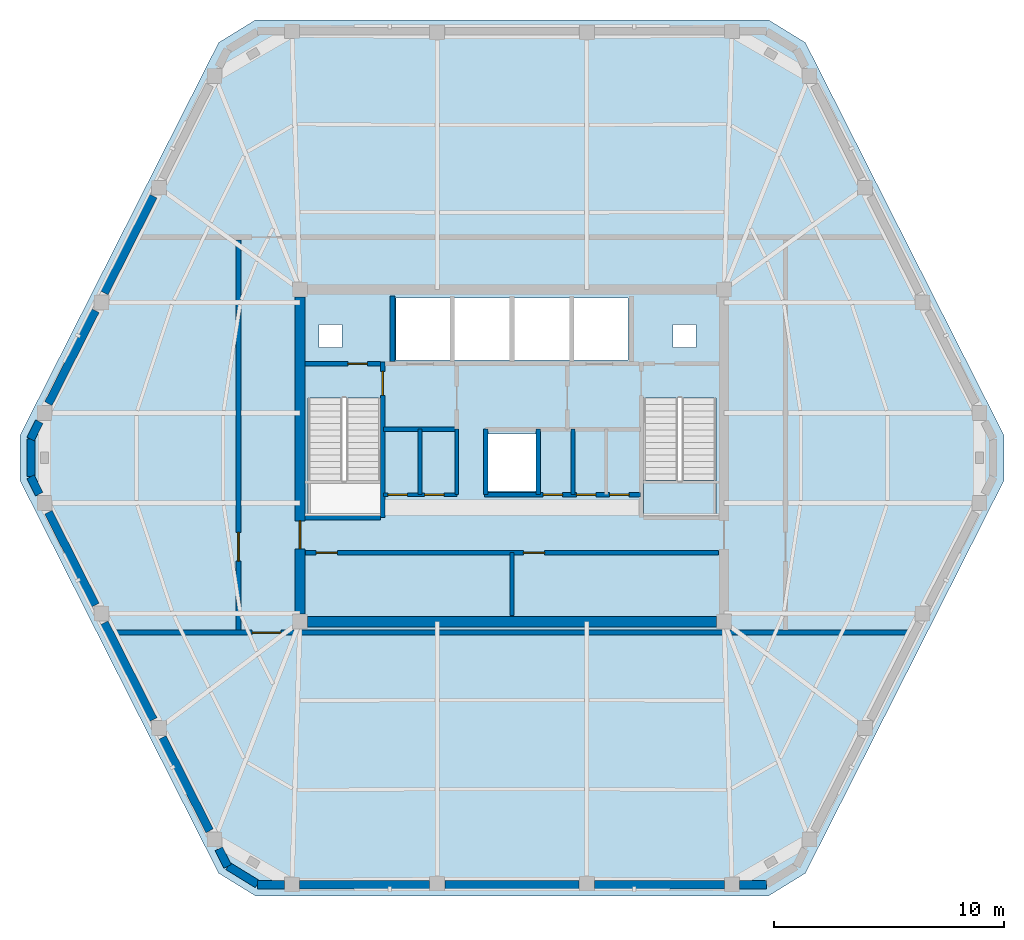
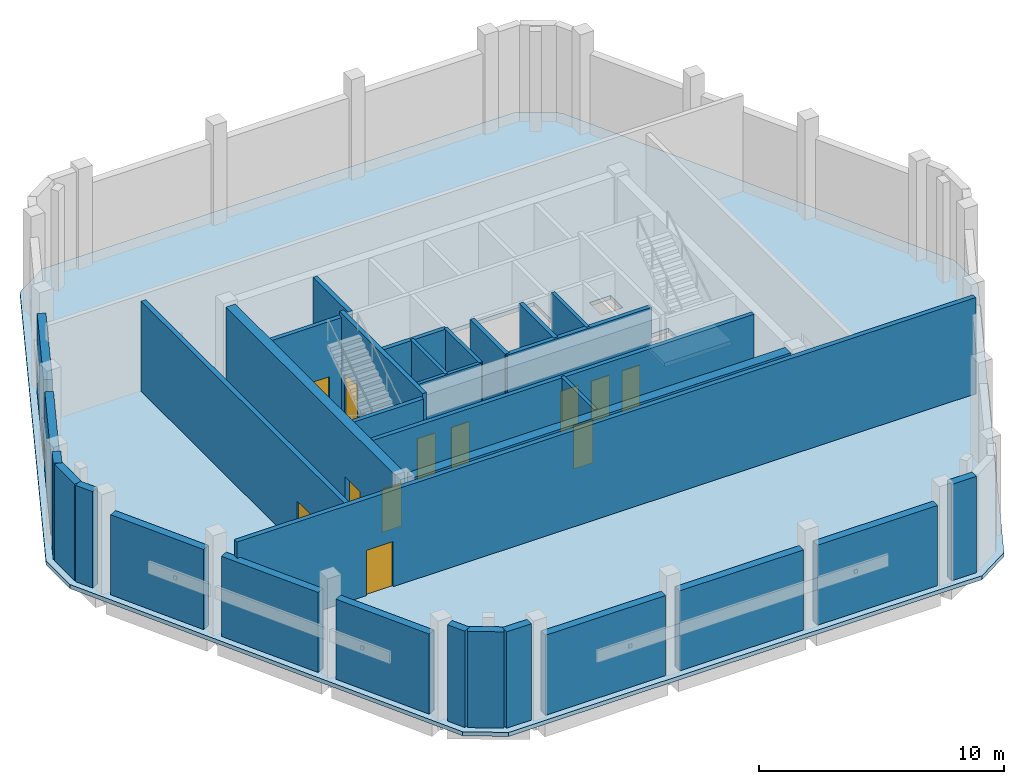
# One storey, part 3 of 8: 33 walls, 12 doors, 2 slabs, 12 openings, 1 element without a shape of its own.
"""IFC4 building model written with IfcOpenShell, lengths in metres."""

from ifc_helpers import new_model, si_unit, direction, frame, frame_2d, origin, place, context, subcontext, project, spatial, polyline, rectangle, outline, extrude, material, layer, layer_set, type_object, element, fill, aggregate, save


model = new_model("IFC4")

# Units and contexts
model_context = context("Model", 3, precision=1e-05, world=origin(), true_north=direction((0.0, 1.0)))
body_context = subcontext(model_context, "Body", "Model", "MODEL_VIEW")
ifc_project = project(units=[si_unit("LENGTHUNIT", "METRE"), si_unit("AREAUNIT", "SQUARE_METRE"), si_unit("VOLUMEUNIT", "CUBIC_METRE"), si_unit("PLANEANGLEUNIT", "RADIAN"), si_unit("MASSUNIT", "GRAM", prefix="KILO")], contexts=[model_context])

# Site, building, storey
site_placement = place(None, origin())
site = spatial("IfcSite", under=ifc_project, at=site_placement, CompositionType="ELEMENT")
building_placement = place(site_placement, origin())
building = spatial("IfcBuilding", under=site, at=building_placement, Name="Cinnabar Lancet Tower", CompositionType="ELEMENT")
storey_placement = place(building_placement, frame((0.0, 0.0, 295.5)))
storey = spatial("IfcBuildingStorey", under=building, at=storey_placement, Name="L78", CompositionType="ELEMENT", Elevation=295.5)

# Stair, slab
ifc_material_1 = material(Name="Concrete C40/50", Category="concrete")
stair_type = type_object("IfcStairType", Name="ST-CORE", PredefinedType="HALF_TURN_STAIR", material=ifc_material_1)
stair_placement = place(storey_placement, origin())
stair = element("IfcStair", 1, at=stair_placement, inside=storey, type_object=stair_type, Name="L78 ST-2", PredefinedType="HALF_TURN_STAIR")
ifc_material_2 = material(Name="Concrete C40/50", Category="concrete")
ifc_layer_1 = layer(ifc_material_2, 0.199951171875)
ifc_layer_set_1 = layer_set([ifc_layer_1], Name="Concrete C40/50")
slab_type_1 = type_object("IfcSlabType", Name="LANDING-CORE", PredefinedType="LANDING", material=ifc_layer_set_1)
slab_1_placement = place(storey_placement, frame((0.0, 0.0, 2.300048828125)))
slab_1 = element("IfcSlab", 2, at=slab_1_placement, type_object=slab_type_1, Name="ST-2 landing 1", PredefinedType="LANDING", context=body_context, shape_type="SweptSolid", body=[
    extrude(outline(polyline([(38.125, 24.824951171875), (38.125, 23.25), (41.27490234375, 23.25), (41.27490234375, 24.824951171875), (38.125, 24.824951171875)])), origin(), (0.0, 0.0, 1.0), 0.199951171875),
])
aggregate(stair, [slab_1])

# Slab
ifc_material_3 = material(Name="Concrete C40/50", Category="concrete")
ifc_layer_2 = layer(ifc_material_3, 0.199951171875)
ifc_layer_set_2 = layer_set([ifc_layer_2], Name="Concrete C40/50")
slab_type_2 = type_object("IfcSlabType", Name="STR-SLB-FLR-200", PredefinedType="FLOOR", material=ifc_layer_set_2)
slab_2_placement = place(storey_placement, frame((0.0, 0.0, -0.199951171875)))
element("IfcSlab", 3, at=slab_2_placement, inside=storey, type_object=slab_type_2, Name="L78 Structural Floor Slab", PredefinedType="FLOOR", context=body_context, shape_type="SweptSolid", body=[
    extrude(outline(polyline([(19.638916015625, 7.73193359375), (21.236083984375, 6.75), (43.56396484375, 6.75), (45.160888671875, 7.73193359375), (53.802978515625, 24.818115234375), (53.802978515625, 26.781982421875), (45.160888671875, 43.867919921875), (43.56396484375, 44.85009765625), (21.236083984375, 44.85009765625), (19.638916015625, 43.867919921875), (10.9970703125, 26.781982421875), (10.9970703125, 24.818115234375), (19.638916015625, 7.73193359375)]), holes=[polyline([(23.52490234375, 23.25), (26.675048828125, 23.25), (26.675048828125, 28.3994140625), (23.52490234375, 28.3994140625), (23.52490234375, 23.25)]), polyline([(38.125, 23.25), (41.27490234375, 23.25), (41.27490234375, 28.3994140625), (38.125, 28.3994140625), (38.125, 23.25)]), polyline([(27.35009765625, 30.050048828125), (37.449951171875, 30.050048828125), (37.449951171875, 32.75), (27.35009765625, 32.75), (27.35009765625, 30.050048828125)]), polyline([(31.35009765625, 24.35009765625), (33.449951171875, 24.35009765625), (33.449951171875, 26.85009765625), (31.35009765625, 26.85009765625), (31.35009765625, 24.35009765625)]), polyline([(24.0, 30.60009765625), (25.0, 30.60009765625), (25.0, 31.60009765625), (24.0, 31.60009765625), (24.0, 30.60009765625)]), polyline([(39.39990234375, 30.60009765625), (40.39990234375, 30.60009765625), (40.39990234375, 31.60009765625), (39.39990234375, 31.60009765625), (39.39990234375, 30.60009765625)])]), origin(), (0.0, 0.0, 1.0), 0.199951171875),
])

# Wall, openings, doors
ifc_material_4 = material(Name="Acoustic twin-stud gypsum partition", Category="gypsum")
ifc_layer_3 = layer(ifc_material_4, 0.159912109375)
ifc_layer_set_3 = layer_set([ifc_layer_3], Name="Acoustic twin-stud gypsum partition")
wall_type_1 = type_object("IfcWallType", Name="ARC-WL-CORR-160", PredefinedType="PARTITIONING", material=ifc_layer_set_3)
wall_1_placement = place(storey_placement, frame((26.800048828125, 24.199951171875, 0.0), z_axis=(0.0, 0.0, 1.0), x_axis=(1.0, 0.0, 0.0)))
wall_1 = element("IfcWall", 4, at=wall_1_placement, inside=storey, type_object=wall_type_1, Name="CW-REC5S-L78", PredefinedType="PARTITIONING", context=body_context, shape_type="SweptSolid", body=[
    extrude(rectangle(XDim=3.199951171875, YDim=0.159912109375, at=frame_2d((1.60009765625, 0.0))), origin(), (0.0, 0.0, 1.0), 4.800048828125),
])
opening_1_placement = place(wall_1_placement, frame((0.199951171875, 0.0, 0.0)))
opening_1 = element("IfcOpeningElement", 5, at=opening_1_placement, cuts=wall_1, Name="Opening PD-02", PredefinedType="OPENING", context=body_context, shape_type="SweptSolid", body=[
    extrude(rectangle(XDim=0.85009765625, YDim=2.050048828125, at=frame_2d((0.425048828125, 1.02490234375))), frame((0.0, 0.08984375, 0.0), z_axis=(0.0, -1.0, 0.0), x_axis=(1.0, 0.0, 0.0)), (0.0, 0.0, 1.0), 0.179931640625),
])
opening_2_placement = place(wall_1_placement, frame((1.800048828125, 0.0, 0.0)))
opening_2 = element("IfcOpeningElement", 6, at=opening_2_placement, cuts=wall_1, Name="Opening PD-02", PredefinedType="OPENING", context=body_context, shape_type="SweptSolid", body=[
    extrude(rectangle(XDim=0.85009765625, YDim=2.050048828125, at=frame_2d((0.425048828125, 1.02490234375))), frame((0.0, 0.08984375, 0.0), z_axis=(0.0, -1.0, 0.0), x_axis=(1.0, 0.0, 0.0)), (0.0, 0.0, 1.0), 0.179931640625),
])
ifc_material_5 = material(Name="Fire-rated steel riser access door", Category="steel")
door_type_1 = type_object("IfcDoorType", Name="ARC-DR-RISER", OperationType="NOTDEFINED", PredefinedType="DOOR", material=ifc_material_5)
door_1_placement = place(opening_1_placement, origin())
door_1 = element("IfcDoor", 7, at=door_1_placement, inside=storey, type_object=door_type_1, Name="DR-L78-REC5A", OperationType="SINGLE_SWING_LEFT", OverallHeight=2.050048828125, OverallWidth=0.85009765625, PredefinedType="DOOR", context=body_context, shape_type="SweptSolid", body=[
    extrude(rectangle(XDim=0.85009765625, YDim=2.050048828125, at=frame_2d((0.425048828125, 1.02490234375))), frame((0.0, 0.02490234375, 0.0), z_axis=(0.0, -1.0, 0.0), x_axis=(1.0, 0.0, 0.0)), (0.0, 0.0, 1.0), 0.050048828125),
])
fill(opening_1, door_1)
door_2_placement = place(opening_2_placement, origin())
door_2 = element("IfcDoor", 8, at=door_2_placement, inside=storey, type_object=door_type_1, Name="DR-L78-REC5B", OperationType="SINGLE_SWING_RIGHT", OverallHeight=2.050048828125, OverallWidth=0.85009765625, PredefinedType="DOOR", context=body_context, shape_type="SweptSolid", body=[
    extrude(rectangle(XDim=0.85009765625, YDim=2.050048828125, at=frame_2d((0.425048828125, 1.02490234375))), frame((0.0, 0.02490234375, 0.0), z_axis=(0.0, -1.0, 0.0), x_axis=(1.0, 0.0, 0.0)), (0.0, 0.0, 1.0), 0.050048828125),
])
fill(opening_2, door_2)

# Walls
for number, where, z_axis, x_axis, name in (
    (9, (30.0, 24.199951171875, 0.0), (0.0, 0.0, 1.0), (0.0, 1.0, 0.0), "CW-REC5E-L78"),
    (10, (28.39990234375, 24.199951171875, 0.0), (0.0, 0.0, 1.0), (0.0, 1.0, 0.0), "CW-REC5D0-L78"),
    (11, (35.050048828125, 24.199951171875, 0.0), (0.0, 0.0, 1.0), (0.0, 1.0, 0.0), "CW-REC6D1-L78"),
):
    element("IfcWall", number, at=place(storey_placement, frame(where, z_axis=z_axis, x_axis=x_axis)), inside=storey, type_object=wall_type_1, Name=name, PredefinedType="PARTITIONING", context=body_context, shape_type="SweptSolid", body=[
        extrude(rectangle(XDim=2.85009765625, YDim=0.159912109375, at=frame_2d((1.425048828125, 0.0))), origin(), (0.0, 0.0, 1.0), 4.800048828125),
    ])
wall_2_placement = place(storey_placement, frame((32.39990234375, 18.949951171875, 0.0), z_axis=(0.0, 0.0, 1.0), x_axis=(0.0, 1.0, 0.0)))
element("IfcWall", 12, at=wall_2_placement, inside=storey, type_object=wall_type_1, Name="CW-SB-3240-L78", PredefinedType="PARTITIONING", context=body_context, shape_type="SweptSolid", body=[
    extrude(rectangle(XDim=2.72998046875, YDim=0.159912109375, at=frame_2d((1.364990234375, 0.0))), origin(), (0.0, 0.0, 1.0), 4.800048828125),
])

# Wall, opening, door
ifc_material_6 = material(Name="Acoustic masonry plant room wall", Category="masonry")
ifc_layer_4 = layer(ifc_material_6, 0.219970703125)
ifc_layer_set_4 = layer_set([ifc_layer_4], Name="Acoustic masonry plant room wall")
wall_type_2 = type_object("IfcWallType", Name="ARC-WL-PLANT-220", PredefinedType="PARTITIONING", material=ifc_layer_set_4)
wall_3_placement = place(storey_placement, frame((14.989013671875, 18.199951171875, 0.0), z_axis=(0.0, 0.0, 1.0), x_axis=(1.0, 0.0, 0.0)))
wall_3 = element("IfcWall", 13, at=wall_3_placement, inside=storey, type_object=wall_type_2, Name="PW-L78-PS", PredefinedType="PARTITIONING", context=body_context, shape_type="SweptSolid", body=[
    extrude(rectangle(XDim=34.822021484375, YDim=0.219970703125, at=frame_2d((17.4111328125, 0.0))), origin(), (0.0, 0.0, 1.0), 4.800048828125),
])
opening_3_placement = place(wall_3_placement, frame((6.111083984375, 0.0, 0.0)))
opening_3 = element("IfcOpeningElement", 14, at=opening_3_placement, cuts=wall_3, Name="Opening PD-01", PredefinedType="OPENING", context=body_context, shape_type="SweptSolid", body=[
    extrude(rectangle(XDim=1.25, YDim=2.25, at=frame_2d((0.625, 1.125))), frame((0.0, 0.119873046875, 0.0), z_axis=(0.0, -1.0, 0.0), x_axis=(1.0, 0.0, 0.0)), (0.0, 0.0, 1.0), 0.239990234375),
])
ifc_material_7 = material(Name="Louvred fire-rated steel plant room double door", Category="steel")
door_type_2 = type_object("IfcDoorType", Name="ARC-DR-PLANT", OperationType="NOTDEFINED", PredefinedType="DOOR", material=ifc_material_7)
door_3_placement = place(opening_3_placement, origin())
door_3 = element("IfcDoor", 15, at=door_3_placement, inside=storey, type_object=door_type_2, Name="DR-L78-PLS", OperationType="SINGLE_SWING_LEFT", OverallHeight=2.25, OverallWidth=1.25, PredefinedType="DOOR", context=body_context, shape_type="SweptSolid", body=[
    extrude(rectangle(XDim=1.25, YDim=2.25, at=frame_2d((0.625, 1.125))), frame((0.0, 0.02490234375, 0.0), z_axis=(0.0, -1.0, 0.0), x_axis=(1.0, 0.0, 0.0)), (0.0, 0.0, 1.0), 0.050048828125),
])
fill(opening_3, door_3)

wall_4_placement = place(storey_placement, frame((20.5, 18.31494140625, 0.0), z_axis=(0.0, 0.0, 1.0), x_axis=(0.0, 1.0, 0.0)))
wall_4 = element("IfcWall", 16, at=wall_4_placement, inside=storey, type_object=wall_type_2, Name="PW-L78-PW", PredefinedType="PARTITIONING", context=body_context, shape_type="SweptSolid", body=[
    extrude(rectangle(XDim=16.969970703125, YDim=0.219970703125, at=frame_2d((8.48486328125, 0.0))), origin(), (0.0, 0.0, 1.0), 4.487060546875),
])
opening_4_placement = place(wall_4_placement, frame((3.0, 0.0, 0.0)))
opening_4 = element("IfcOpeningElement", 17, at=opening_4_placement, cuts=wall_4, Name="Opening PD-01", PredefinedType="OPENING", context=body_context, shape_type="SweptSolid", body=[
    extrude(rectangle(XDim=1.25, YDim=2.25, at=frame_2d((0.625, 1.125))), frame((0.0, 0.119873046875, 0.0), z_axis=(0.0, -1.0, 0.0), x_axis=(1.0, 0.0, 0.0)), (0.0, 0.0, 1.0), 0.239990234375),
])
door_4_placement = place(opening_4_placement, origin())
door_4 = element("IfcDoor", 18, at=door_4_placement, inside=storey, type_object=door_type_2, Name="DR-L78-PLW", OperationType="SINGLE_SWING_LEFT", OverallHeight=2.25, OverallWidth=1.25, PredefinedType="DOOR", context=body_context, shape_type="SweptSolid", body=[
    extrude(rectangle(XDim=1.25, YDim=2.25, at=frame_2d((0.625, 1.125))), frame((0.0, 0.02490234375, 0.0), z_axis=(0.0, -1.0, 0.0), x_axis=(1.0, 0.0, 0.0)), (0.0, 0.0, 1.0), 0.050048828125),
])
fill(opening_4, door_4)

# Wall
ifc_material_8 = material(Name="Autoclaved aerated concrete blockwork", Category="masonry")
ifc_layer_5 = layer(ifc_material_8, 0.199951171875)
ifc_layer_set_5 = layer_set([ifc_layer_5], Name="Autoclaved aerated concrete blockwork")
wall_type_3 = type_object("IfcWallType", Name="ARC-WL-SHAFT-200", PredefinedType="PLUMBINGWALL", material=ifc_layer_set_5)
wall_5_placement = place(storey_placement, frame((23.405029296875, 23.199951171875, 0.0), z_axis=(0.0, 0.0, 1.0), x_axis=(1.0, 0.0, 0.0)))
element("IfcWall", 19, at=wall_5_placement, inside=storey, type_object=wall_type_3, Name="CW-ST1S-L78", PredefinedType="PLUMBINGWALL", context=body_context, shape_type="SweptSolid", body=[
    extrude(rectangle(XDim=3.27001953125, YDim=0.199951171875, at=frame_2d((1.635009765625, 0.0))), origin(), (0.0, 0.0, 1.0), 4.800048828125),
])

# Wall, opening, door
wall_6_placement = place(storey_placement, frame((23.405029296875, 29.89990234375, 0.0), z_axis=(0.0, 0.0, 1.0), x_axis=(1.0, 0.0, 0.0)))
wall_6 = element("IfcWall", 20, at=wall_6_placement, inside=storey, type_object=wall_type_3, Name="CW-NSH-W-L78", PredefinedType="PLUMBINGWALL", context=body_context, shape_type="SweptSolid", body=[
    extrude(rectangle(XDim=3.27001953125, YDim=0.199951171875, at=frame_2d((1.635009765625, 0.0))), origin(), (0.0, 0.0, 1.0), 4.800048828125),
])
opening_5_placement = place(wall_6_placement, frame((1.85009765625, 0.0, 0.0)))
opening_5 = element("IfcOpeningElement", 21, at=opening_5_placement, cuts=wall_6, Name="Opening PD-02", PredefinedType="OPENING", context=body_context, shape_type="SweptSolid", body=[
    extrude(rectangle(XDim=0.85009765625, YDim=2.050048828125, at=frame_2d((0.425048828125, 1.02490234375))), frame((0.0, 0.10986328125, 0.0), z_axis=(0.0, -1.0, 0.0), x_axis=(1.0, 0.0, 0.0)), (0.0, 0.0, 1.0), 0.219970703125),
])
door_5_placement = place(opening_5_placement, origin())
door_5 = element("IfcDoor", 22, at=door_5_placement, inside=storey, type_object=door_type_1, Name="L78 West Riser Access Door", OperationType="SINGLE_SWING_LEFT", OverallHeight=2.050048828125, OverallWidth=0.85009765625, PredefinedType="DOOR", context=body_context, shape_type="SweptSolid", body=[
    extrude(rectangle(XDim=0.85009765625, YDim=2.050048828125, at=frame_2d((0.425048828125, 1.02490234375))), frame((0.0, 0.02490234375, 0.0), z_axis=(0.0, -1.0, 0.0), x_axis=(1.0, 0.0, 0.0)), (0.0, 0.0, 1.0), 0.050048828125),
])
fill(opening_5, door_5)

# Walls
wall_7_placement = place(storey_placement, frame((27.199951171875, 30.0, 0.0), z_axis=(0.0, 0.0, 1.0), x_axis=(0.0, 1.0, 0.0)))
element("IfcWall", 23, at=wall_7_placement, inside=storey, type_object=wall_type_3, Name="CW-NSH-D1-L78", PredefinedType="PLUMBINGWALL", context=body_context, shape_type="SweptSolid", body=[
    extrude(rectangle(XDim=2.85009765625, YDim=0.199951171875, at=frame_2d((1.425048828125, 0.0))), origin(), (0.0, 0.0, 1.0), 4.800048828125),
])
wall_8_placement = place(storey_placement, frame((26.800048828125, 27.050048828125, 0.0), z_axis=(0.0, 0.0, 1.0), x_axis=(1.0, 0.0, 0.0)))
element("IfcWall", 24, at=wall_8_placement, inside=storey, type_object=wall_type_3, Name="CW-FF1S-L78", PredefinedType="PLUMBINGWALL", context=body_context, shape_type="SweptSolid", body=[
    extrude(rectangle(XDim=3.199951171875, YDim=0.199951171875, at=frame_2d((1.60009765625, 0.0))), origin(), (0.0, 0.0, 1.0), 4.800048828125),
])

# Wall, openings, doors
wall_9_placement = place(storey_placement, frame((31.199951171875, 24.199951171875, 0.0), z_axis=(0.0, 0.0, 1.0), x_axis=(1.0, 0.0, 0.0)))
wall_9 = element("IfcWall", 25, at=wall_9_placement, inside=storey, type_object=wall_type_3, Name="CW-PL96S-L78", PredefinedType="PLUMBINGWALL", context=body_context, shape_type="SweptSolid", body=[
    extrude(rectangle(XDim=6.800048828125, YDim=0.199951171875, at=frame_2d((3.39990234375, 0.0))), origin(), (0.0, 0.0, 1.0), 4.800048828125),
])
opening_6_placement = place(wall_9_placement, frame((2.550048828125, 0.0, 0.0)))
opening_6 = element("IfcOpeningElement", 26, at=opening_6_placement, cuts=wall_9, Name="Opening PD-02", PredefinedType="OPENING", context=body_context, shape_type="SweptSolid", body=[
    extrude(rectangle(XDim=0.85009765625, YDim=2.050048828125, at=frame_2d((0.425048828125, 1.02490234375))), frame((0.0, 0.10986328125, 0.0), z_axis=(0.0, -1.0, 0.0), x_axis=(1.0, 0.0, 0.0)), (0.0, 0.0, 1.0), 0.219970703125),
])
opening_7_placement = place(wall_9_placement, frame((4.0, 0.0, 0.0)))
opening_7 = element("IfcOpeningElement", 27, at=opening_7_placement, cuts=wall_9, Name="Opening PD-02", PredefinedType="OPENING", context=body_context, shape_type="SweptSolid", body=[
    extrude(rectangle(XDim=0.85009765625, YDim=2.050048828125, at=frame_2d((0.425048828125, 1.02490234375))), frame((0.0, 0.10986328125, 0.0), z_axis=(0.0, -1.0, 0.0), x_axis=(1.0, 0.0, 0.0)), (0.0, 0.0, 1.0), 0.219970703125),
])
opening_8_placement = place(wall_9_placement, frame((5.449951171875, 0.0, 0.0)))
opening_8 = element("IfcOpeningElement", 28, at=opening_8_placement, cuts=wall_9, Name="Opening PD-02", PredefinedType="OPENING", context=body_context, shape_type="SweptSolid", body=[
    extrude(rectangle(XDim=0.85009765625, YDim=2.050048828125, at=frame_2d((0.425048828125, 1.02490234375))), frame((0.0, 0.10986328125, 0.0), z_axis=(0.0, -1.0, 0.0), x_axis=(1.0, 0.0, 0.0)), (0.0, 0.0, 1.0), 0.219970703125),
])
door_6_placement = place(opening_6_placement, origin())
door_6 = element("IfcDoor", 29, at=door_6_placement, inside=storey, type_object=door_type_1, Name="DR-L78-REC6A", OperationType="SINGLE_SWING_LEFT", OverallHeight=2.050048828125, OverallWidth=0.85009765625, PredefinedType="DOOR", context=body_context, shape_type="SweptSolid", body=[
    extrude(rectangle(XDim=0.85009765625, YDim=2.050048828125, at=frame_2d((0.425048828125, 1.02490234375))), frame((0.0, 0.02490234375, 0.0), z_axis=(0.0, -1.0, 0.0), x_axis=(1.0, 0.0, 0.0)), (0.0, 0.0, 1.0), 0.050048828125),
])
fill(opening_6, door_6)
door_7_placement = place(opening_7_placement, origin())
door_7 = element("IfcDoor", 30, at=door_7_placement, inside=storey, type_object=door_type_1, Name="DR-L78-REC6B", OperationType="SINGLE_SWING_RIGHT", OverallHeight=2.050048828125, OverallWidth=0.85009765625, PredefinedType="DOOR", context=body_context, shape_type="SweptSolid", body=[
    extrude(rectangle(XDim=0.85009765625, YDim=2.050048828125, at=frame_2d((0.425048828125, 1.02490234375))), frame((0.0, 0.02490234375, 0.0), z_axis=(0.0, -1.0, 0.0), x_axis=(1.0, 0.0, 0.0)), (0.0, 0.0, 1.0), 0.050048828125),
])
fill(opening_7, door_7)
door_8_placement = place(opening_8_placement, origin())
door_8 = element("IfcDoor", 31, at=door_8_placement, inside=storey, type_object=door_type_1, Name="DR-L78-REC6C", OperationType="SINGLE_SWING_LEFT", OverallHeight=2.050048828125, OverallWidth=0.85009765625, PredefinedType="DOOR", context=body_context, shape_type="SweptSolid", body=[
    extrude(rectangle(XDim=0.85009765625, YDim=2.050048828125, at=frame_2d((0.425048828125, 1.02490234375))), frame((0.0, 0.02490234375, 0.0), z_axis=(0.0, -1.0, 0.0), x_axis=(1.0, 0.0, 0.0)), (0.0, 0.0, 1.0), 0.050048828125),
])
fill(opening_8, door_8)

# Walls
for number, where, z_axis, x_axis, name in (
    (32, (31.25, 24.199951171875, 0.0), (0.0, 0.0, 1.0), (0.0, 1.0, 0.0), "CW-PL9W-L78"),
    (33, (33.550048828125, 24.199951171875, 0.0), (0.0, 0.0, 1.0), (0.0, 1.0, 0.0), "CW-PL9E-L78"),
):
    element("IfcWall", number, at=place(storey_placement, frame(where, z_axis=z_axis, x_axis=x_axis)), inside=storey, type_object=wall_type_3, Name=name, PredefinedType="PLUMBINGWALL", context=body_context, shape_type="SweptSolid", body=[
        extrude(rectangle(XDim=2.85009765625, YDim=0.199951171875, at=frame_2d((1.425048828125, 0.0))), origin(), (0.0, 0.0, 1.0), 4.800048828125),
    ])

# Wall, openings, doors
wall_10_placement = place(storey_placement, frame((23.419921875, 21.679931640625, 0.0), z_axis=(0.0, 0.0, 1.0), x_axis=(1.0, 0.0, 0.0)))
wall_10 = element("IfcWall", 34, at=wall_10_placement, inside=storey, type_object=wall_type_3, Name="CW-SBANDN-L78", PredefinedType="PLUMBINGWALL", context=body_context, shape_type="SweptSolid", body=[
    extrude(rectangle(XDim=17.9599609375, YDim=0.199951171875, at=frame_2d((8.97998046875, 0.0))), origin(), (0.0, 0.0, 1.0), 4.800048828125),
])
opening_9_placement = place(wall_10_placement, frame((0.4599609375, 0.0, 0.0)))
opening_9 = element("IfcOpeningElement", 35, at=opening_9_placement, cuts=wall_10, Name="Opening RD-01", PredefinedType="OPENING", context=body_context, shape_type="SweptSolid", body=[
    extrude(rectangle(XDim=0.919921875, YDim=2.14990234375, at=frame_2d((0.4599609375, 1.074951171875))), frame((0.0, 0.10986328125, 0.0), z_axis=(0.0, -1.0, 0.0), x_axis=(1.0, 0.0, 0.0)), (0.0, 0.0, 1.0), 0.219970703125),
])
opening_10_placement = place(wall_10_placement, frame((9.47998046875, 0.0, 0.0)))
opening_10 = element("IfcOpeningElement", 36, at=opening_10_placement, cuts=wall_10, Name="Opening RD-01", PredefinedType="OPENING", context=body_context, shape_type="SweptSolid", body=[
    extrude(rectangle(XDim=0.919921875, YDim=2.14990234375, at=frame_2d((0.4599609375, 1.074951171875))), frame((0.0, 0.10986328125, 0.0), z_axis=(0.0, -1.0, 0.0), x_axis=(1.0, 0.0, 0.0)), (0.0, 0.0, 1.0), 0.219970703125),
])
ifc_material_9 = material(Name="Engineered timber bedroom door", Category="wood")
door_type_3 = type_object("IfcDoorType", Name="ARC-DR-ROOM", OperationType="NOTDEFINED", PredefinedType="DOOR", material=ifc_material_9)
door_9_placement = place(opening_9_placement, origin())
door_9 = element("IfcDoor", 37, at=door_9_placement, inside=storey, type_object=door_type_3, Name="DR-L78-HREC1", OperationType="SINGLE_SWING_LEFT", OverallHeight=2.14990234375, OverallWidth=0.919921875, PredefinedType="DOOR", context=body_context, shape_type="SweptSolid", body=[
    extrude(rectangle(XDim=0.919921875, YDim=2.14990234375, at=frame_2d((0.4599609375, 1.074951171875))), frame((0.0, 0.02490234375, 0.0), z_axis=(0.0, -1.0, 0.0), x_axis=(1.0, 0.0, 0.0)), (0.0, 0.0, 1.0), 0.050048828125),
])
fill(opening_9, door_9)
door_10_placement = place(opening_10_placement, origin())
door_10 = element("IfcDoor", 38, at=door_10_placement, inside=storey, type_object=door_type_3, Name="DR-L78-HREC2", OperationType="SINGLE_SWING_RIGHT", OverallHeight=2.14990234375, OverallWidth=0.919921875, PredefinedType="DOOR", context=body_context, shape_type="SweptSolid", body=[
    extrude(rectangle(XDim=0.919921875, YDim=2.14990234375, at=frame_2d((0.4599609375, 1.074951171875))), frame((0.0, 0.02490234375, 0.0), z_axis=(0.0, -1.0, 0.0), x_axis=(1.0, 0.0, 0.0)), (0.0, 0.0, 1.0), 0.050048828125),
])
fill(opening_10, door_10)

# Walls
ifc_material_10 = material(Name="Dark charcoal engineering brick", Category="masonry")
ifc_layer_6 = layer(ifc_material_10, 0.360107421875)
ifc_layer_set_6 = layer_set([ifc_layer_6], Name="Dark charcoal engineering brick")
wall_type_4 = type_object("IfcWallType", Name="ENV-WL-BRK-CHR-360", PredefinedType="STANDARD", material=ifc_layer_set_6)
wall_11_placement = place(storey_placement, frame((20.049072265625, 8.04296875, 0.0), z_axis=(0.0, 0.0, 1.0), x_axis=(0.852199198594, -0.523217474781, 0.0)))
element("IfcWall", 39, at=wall_11_placement, inside=storey, type_object=wall_type_4, Name="L78 Chamfered Corner Brick Pier 1.1", PredefinedType="STANDARD", context=body_context, shape_type="SweptSolid", body=[
    extrude(rectangle(XDim=1.501953125, YDim=0.360107421875, at=frame_2d((0.7509765625, 0.0))), origin(), (0.0, 0.0, 1.0), 4.800048828125),
])
wall_12_placement = place(storey_placement, frame((11.47705078125, 26.616943359375, 0.0), z_axis=(0.0, 0.0, 1.0), x_axis=(0.0, -1.0, 0.0)))
element("IfcWall", 40, at=wall_12_placement, inside=storey, type_object=wall_type_4, Name="L78 Chamfered Corner Brick Pier 6.1", PredefinedType="STANDARD", context=body_context, shape_type="SweptSolid", body=[
    extrude(rectangle(XDim=1.634033203125, YDim=0.360107421875, at=frame_2d((0.81689453125, 0.0))), origin(), (0.0, 0.0, 1.0), 4.800048828125),
])
wall_13_placement = place(storey_placement, frame((21.322998046875, 7.22998046875, 0.0), z_axis=(0.0, 0.0, 1.0), x_axis=(1.0, 0.0, 0.0)))
element("IfcWall", 41, at=wall_13_placement, inside=storey, type_object=wall_type_4, Name="L78 Face 1 Masonry Bay Wall 1", PredefinedType="STANDARD", context=body_context, shape_type="SweptSolid", body=[
    extrude(rectangle(XDim=1.176025390625, YDim=0.360107421875, at=frame_2d((0.587890625, 0.0))), origin(), (0.0, 0.0, 1.0), 4.800048828125),
])
wall_14_placement = place(storey_placement, frame((23.156982421875, 7.22998046875, 0.0), z_axis=(0.0, 0.0, 1.0), x_axis=(1.0, 0.0, 0.0)))
element("IfcWall", 42, at=wall_14_placement, inside=storey, type_object=wall_type_4, Name="L78 Face 1 Masonry Bay Wall 2", PredefinedType="STANDARD", context=body_context, shape_type="SweptSolid", body=[
    extrude(rectangle(XDim=5.659912109375, YDim=0.360107421875, at=frame_2d((2.830078125, 0.0))), origin(), (0.0, 0.0, 1.0), 3.989990234375),
])
wall_15_placement = place(storey_placement, frame((29.47509765625, 7.22998046875, 0.0), z_axis=(0.0, 0.0, 1.0), x_axis=(1.0, 0.0, 0.0)))
element("IfcWall", 43, at=wall_15_placement, inside=storey, type_object=wall_type_4, Name="L78 Face 1 Masonry Bay Wall 3", PredefinedType="STANDARD", context=body_context, shape_type="SweptSolid", body=[
    extrude(rectangle(XDim=5.849853515625, YDim=0.360107421875, at=frame_2d((2.9248046875, 0.0))), origin(), (0.0, 0.0, 1.0), 3.989990234375),
])
wall_16_placement = place(storey_placement, frame((35.98291015625, 7.22998046875, 0.0), z_axis=(0.0, 0.0, 1.0), x_axis=(1.0, 0.0, 0.0)))
element("IfcWall", 44, at=wall_16_placement, inside=storey, type_object=wall_type_4, Name="L78 Face 1 Masonry Bay Wall 4", PredefinedType="STANDARD", context=body_context, shape_type="SweptSolid", body=[
    extrude(rectangle(XDim=5.66015625, YDim=0.360107421875, at=frame_2d((2.830078125, 0.0))), origin(), (0.0, 0.0, 1.0), 3.989990234375),
])
wall_17_placement = place(storey_placement, frame((42.301025390625, 7.22998046875, 0.0), z_axis=(0.0, 0.0, 1.0), x_axis=(1.0, 0.0, 0.0)))
element("IfcWall", 45, at=wall_17_placement, inside=storey, type_object=wall_type_4, Name="L78 Face 1 Masonry Bay Wall 5", PredefinedType="STANDARD", context=body_context, shape_type="SweptSolid", body=[
    extrude(rectangle(XDim=1.176025390625, YDim=0.360107421875, at=frame_2d((0.587890625, 0.0))), origin(), (0.0, 0.0, 1.0), 4.800048828125),
])
wall_18_placement = place(storey_placement, frame((16.798095703125, 37.18701171875, 0.0), z_axis=(0.0, 0.0, 1.0), x_axis=(-0.451472275188, -0.892285147661, 0.0)))
element("IfcWall", 46, at=wall_18_placement, inside=storey, type_object=wall_type_4, Name="L78 Face 5 Masonry Bay Wall 3", PredefinedType="STANDARD", context=body_context, shape_type="SweptSolid", body=[
    extrude(rectangle(XDim=4.71826171875, YDim=0.360107421875, at=frame_2d((2.359130859375, 0.0))), origin(), (0.0, 0.0, 1.0), 3.989990234375),
])
wall_19_placement = place(storey_placement, frame((14.277099609375, 32.202880859375, 0.0), z_axis=(0.0, 0.0, 1.0), x_axis=(-0.451329000676, -0.892357626262, 0.0)))
element("IfcWall", 47, at=wall_19_placement, inside=storey, type_object=wall_type_4, Name="L78 Face 5 Masonry Bay Wall 4", PredefinedType="STANDARD", context=body_context, shape_type="SweptSolid", body=[
    extrude(rectangle(XDim=4.527099609375, YDim=0.360107421875, at=frame_2d((2.263671875, 0.0))), origin(), (0.0, 0.0, 1.0), 3.989990234375),
])
for number, where, z_axis, x_axis, name in (
    (48, (11.8349609375, 27.3759765625, 0.0), (0.0, 0.0, 1.0), (-0.450919109914, -0.892564819111, 0.0), "L78 Face 5 Masonry Bay Wall 5"),
    (49, (11.455078125, 24.97607421875, 0.0), (0.0, 0.0, 1.0), (0.450919109914, -0.892564819111, 0.0), "L78 Face 6 Masonry Bay Wall 1"),
):
    element("IfcWall", number, at=place(storey_placement, frame(where, z_axis=z_axis, x_axis=x_axis)), inside=storey, type_object=wall_type_4, Name=name, PredefinedType="STANDARD", context=body_context, shape_type="SweptSolid", body=[
        extrude(rectangle(XDim=0.842529296875, YDim=0.360107421875, at=frame_2d((0.42138671875, 0.0))), origin(), (0.0, 0.0, 1.0), 4.800048828125),
    ])
wall_20_placement = place(storey_placement, frame((12.23388671875, 23.43701171875, 0.0), z_axis=(0.0, 0.0, 1.0), x_axis=(0.451307281986, -0.892368610624, 0.0)))
element("IfcWall", 50, at=wall_20_placement, inside=storey, type_object=wall_type_4, Name="L78 Face 6 Masonry Bay Wall 2", PredefinedType="STANDARD", context=body_context, shape_type="SweptSolid", body=[
    extrude(rectangle(XDim=4.52734375, YDim=0.360107421875, at=frame_2d((2.263671875, 0.0))), origin(), (0.0, 0.0, 1.0), 3.989990234375),
])
wall_21_placement = place(storey_placement, frame((14.66796875, 18.623046875, 0.0), z_axis=(0.0, 0.0, 1.0), x_axis=(0.451472275188, -0.892285147661, 0.0)))
element("IfcWall", 51, at=wall_21_placement, inside=storey, type_object=wall_type_4, Name="L78 Face 6 Masonry Bay Wall 3", PredefinedType="STANDARD", context=body_context, shape_type="SweptSolid", body=[
    extrude(rectangle(XDim=4.71826171875, YDim=0.360107421875, at=frame_2d((2.359130859375, 0.0))), origin(), (0.0, 0.0, 1.0), 3.989990234375),
])
wall_22_placement = place(storey_placement, frame((17.19091796875, 13.635986328125, 0.0), z_axis=(0.0, 0.0, 1.0), x_axis=(0.451330883617, -0.892356673922, 0.0)))
element("IfcWall", 52, at=wall_22_placement, inside=storey, type_object=wall_type_4, Name="L78 Face 6 Masonry Bay Wall 4", PredefinedType="STANDARD", context=body_context, shape_type="SweptSolid", body=[
    extrude(rectangle(XDim=4.548828125, YDim=0.360107421875, at=frame_2d((2.2744140625, 0.0))), origin(), (0.0, 0.0, 1.0), 3.989990234375),
])
wall_23_placement = place(storey_placement, frame((19.64208984375, 8.7890625, 0.0), z_axis=(0.0, 0.0, 1.0), x_axis=(0.451319562919, -0.892362399548, 0.0)))
element("IfcWall", 53, at=wall_23_placement, inside=storey, type_object=wall_type_4, Name="L78 Face 6 Masonry Bay Wall 5", PredefinedType="STANDARD", context=body_context, shape_type="SweptSolid", body=[
    extrude(rectangle(XDim=0.855224609375, YDim=0.360107421875, at=frame_2d((0.427734375, 0.0))), origin(), (0.0, 0.0, 1.0), 4.800048828125),
])
ifc_material_11 = material(Name="Concrete C50/60", Category="concrete")
ifc_layer_7 = layer(ifc_material_11, 0.449951171875)
ifc_layer_set_7 = layer_set([ifc_layer_7], Name="Concrete C50/60")
wall_type_5 = type_object("IfcWallType", Name="STR-WL-CORE-450", PredefinedType="SHEAR", material=ifc_layer_set_7)
wall_24_placement = place(storey_placement, frame((23.5, 18.675048828125, 0.0), z_axis=(0.0, 0.0, 1.0), x_axis=(1.0, 0.0, 0.0)))
element("IfcWall", 54, at=wall_24_placement, inside=storey, type_object=wall_type_5, Name="L78 Core Shear Wall S", PredefinedType="SHEAR", context=body_context, shape_type="SweptSolid", body=[
    extrude(rectangle(XDim=17.800048828125, YDim=0.449951171875, at=frame_2d((8.89990234375, 0.0))), origin(), (0.0, 0.0, 1.0), 4.800048828125),
])

# Wall, opening, door
wall_25_placement = place(storey_placement, frame((23.175048828125, 19.0, 0.0), z_axis=(0.0, 0.0, 1.0), x_axis=(0.0, 1.0, 0.0)))
wall_25 = element("IfcWall", 55, at=wall_25_placement, inside=storey, type_object=wall_type_5, Name="L78 Core Shear Wall W", PredefinedType="SHEAR", context=body_context, shape_type="SweptSolid", body=[
    extrude(rectangle(XDim=13.800048828125, YDim=0.449951171875, at=frame_2d((6.89990234375, 0.0))), origin(), (0.0, 0.0, 1.0), 4.800048828125),
])
opening_11_placement = place(wall_25_placement, frame((2.840087890625, 0.0, 0.0)))
opening_11 = element("IfcOpeningElement", 56, at=opening_11_placement, cuts=wall_25, Name="Opening FD-02", PredefinedType="OPENING", context=body_context, shape_type="SweptSolid", body=[
    extrude(rectangle(XDim=1.219970703125, YDim=2.25, at=frame_2d((0.60986328125, 1.125))), frame((0.0, 0.23486328125, 0.0), z_axis=(0.0, -1.0, 0.0), x_axis=(1.0, 0.0, 0.0)), (0.0, 0.0, 1.0), 0.469970703125),
])
ifc_material_12 = material(Name="Fire-rated double-vision core portal door", Category="wood")
door_type_4 = type_object("IfcDoorType", Name="ARC-DR-CPORT", OperationType="NOTDEFINED", PredefinedType="DOOR", material=ifc_material_12)
door_11_placement = place(opening_11_placement, origin())
door_11 = element("IfcDoor", 57, at=door_11_placement, inside=storey, type_object=door_type_4, Name="L78 West Core Lobby Fire Door", OperationType="SINGLE_SWING_RIGHT", OverallHeight=2.25, OverallWidth=1.219970703125, PredefinedType="DOOR", context=body_context, shape_type="SweptSolid", body=[
    extrude(rectangle(XDim=1.219970703125, YDim=2.25, at=frame_2d((0.60986328125, 1.125))), frame((0.0, 0.02490234375, 0.0), z_axis=(0.0, -1.0, 0.0), x_axis=(1.0, 0.0, 0.0)), (0.0, 0.0, 1.0), 0.050048828125),
])
fill(opening_11, door_11)

ifc_material_13 = material(Name="Concrete C50/60", Category="concrete")
ifc_layer_8 = layer(ifc_material_13, 0.199951171875)
ifc_layer_set_8 = layer_set([ifc_layer_8], Name="Concrete C50/60")
wall_type_6 = type_object("IfcWallType", Name="STR-WL-STAIR-200", PredefinedType="SHEAR", material=ifc_layer_set_8)
wall_26_placement = place(storey_placement, frame((26.780029296875, 23.199951171875, 0.0), z_axis=(0.0, 0.0, 1.0), x_axis=(0.0, 1.0, 0.0)))
wall_26 = element("IfcWall", 58, at=wall_26_placement, inside=storey, type_object=wall_type_6, Name="L78 Stair ST-1 Structural Enclosure Wall", PredefinedType="SHEAR", context=body_context, shape_type="SweptSolid", body=[
    extrude(rectangle(XDim=6.780029296875, YDim=0.199951171875, at=frame_2d((3.39013671875, 0.0))), origin(), (0.0, 0.0, 1.0), 5.0),
])
opening_12_placement = place(wall_26_placement, frame((5.320068359375, 0.0, 0.0)))
opening_12 = element("IfcOpeningElement", 59, at=opening_12_placement, cuts=wall_26, Name="Opening SD-01", PredefinedType="OPENING", context=body_context, shape_type="SweptSolid", body=[
    extrude(rectangle(XDim=1.050048828125, YDim=2.14990234375, at=frame_2d((0.52490234375, 1.074951171875))), frame((0.0, 0.10986328125, 0.0), z_axis=(0.0, -1.0, 0.0), x_axis=(1.0, 0.0, 0.0)), (0.0, 0.0, 1.0), 0.219970703125),
])
ifc_material_14 = material(Name="Fire-rated steel stair exit door", Category="steel")
door_type_5 = type_object("IfcDoorType", Name="ARC-DR-STAIR", OperationType="NOTDEFINED", PredefinedType="DOOR", material=ifc_material_14)
door_12_placement = place(opening_12_placement, origin())
door_12 = element("IfcDoor", 60, at=door_12_placement, inside=storey, type_object=door_type_5, Name="L78 Stair ST-1 Fire Door", OperationType="SINGLE_SWING_LEFT", OverallHeight=2.14990234375, OverallWidth=1.050048828125, PredefinedType="DOOR", context=body_context, shape_type="SweptSolid", body=[
    extrude(rectangle(XDim=1.050048828125, YDim=2.14990234375, at=frame_2d((0.52490234375, 1.074951171875))), frame((0.0, 0.02490234375, 0.0), z_axis=(0.0, -1.0, 0.0), x_axis=(1.0, 0.0, 0.0)), (0.0, 0.0, 1.0), 0.050048828125),
])
fill(opening_12, door_12)

save(model, "model.ifc")
